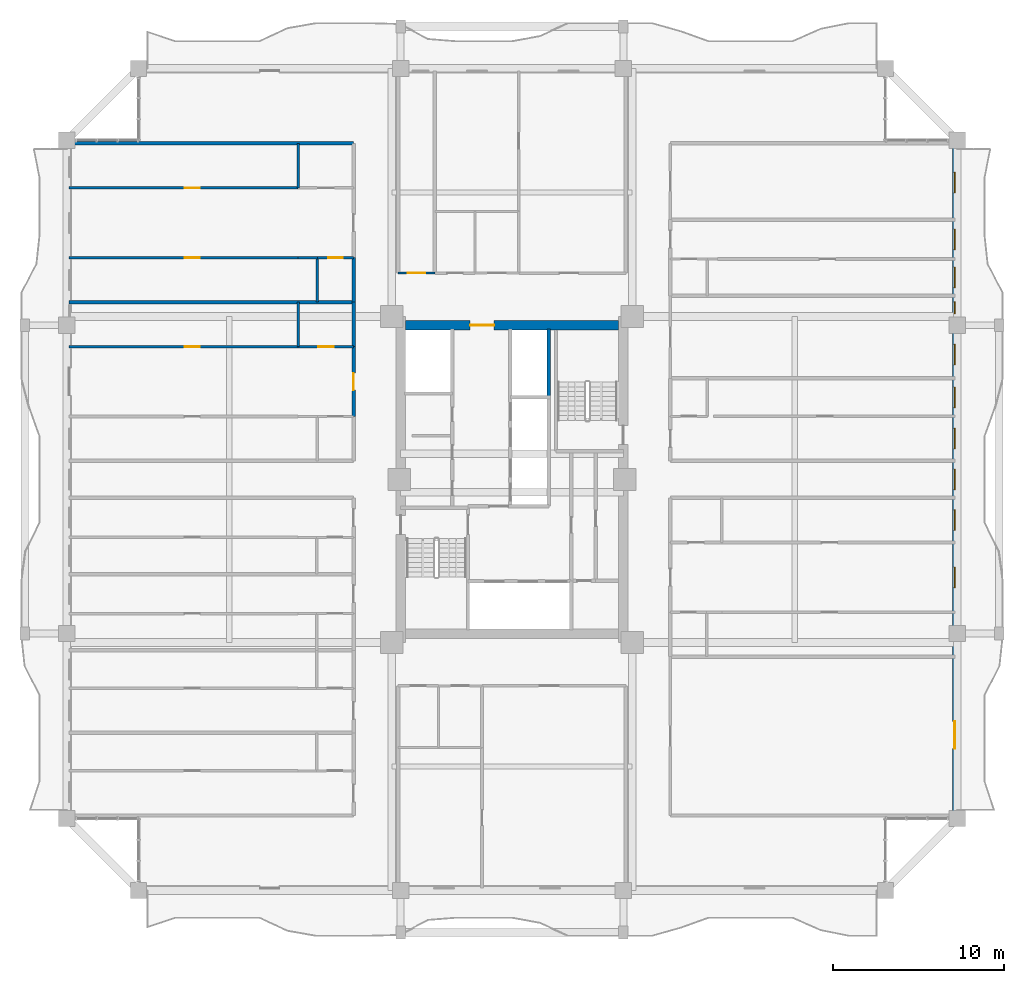
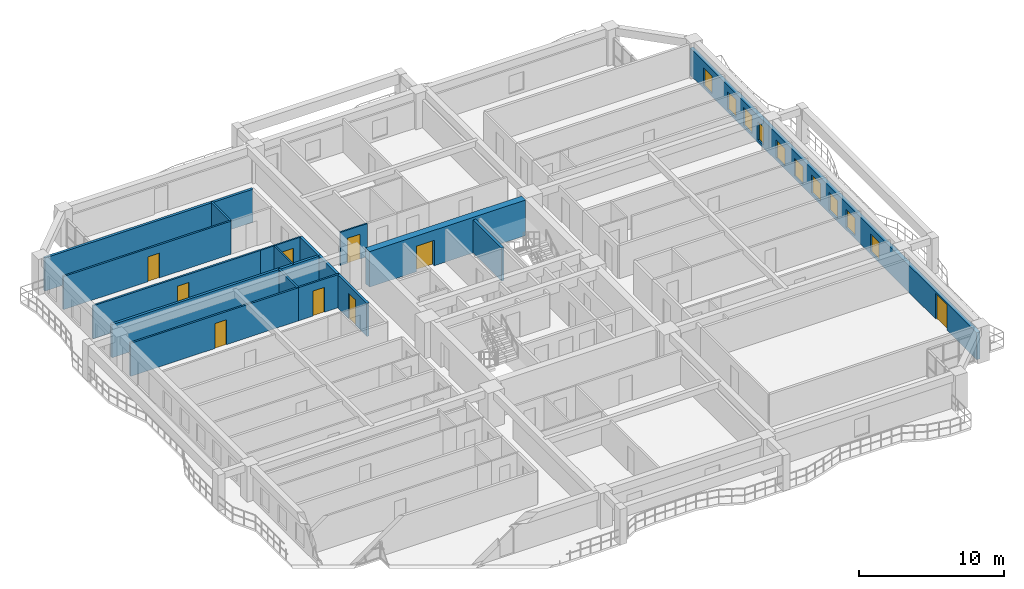
# One storey, part 17 of 24: 18 walls, 10 windows, 9 doors, 19 openings.
"""IFC4 building model written with IfcOpenShell, lengths in metres."""

from ifc_helpers import new_model, si_unit, direction, frame, frame_2d, origin, place, context, subcontext, project, spatial, rectangle, extrude, source, transform, mapped, material, layer, layer_set, type_object, element, fill, save


model = new_model("IFC4")

# Units and contexts
model_context = context("Model", 3, precision=1e-05, world=origin(), true_north=direction((0.0, 1.0)))
body_context = subcontext(model_context, "Body", "Model", "MODEL_VIEW")
ifc_project = project(units=[si_unit("LENGTHUNIT", "METRE"), si_unit("AREAUNIT", "SQUARE_METRE"), si_unit("VOLUMEUNIT", "CUBIC_METRE"), si_unit("PLANEANGLEUNIT", "RADIAN"), si_unit("MASSUNIT", "GRAM", prefix="KILO")], contexts=[model_context])

# Site, building, storey
site_placement = place(None, origin())
site = spatial("IfcSite", under=ifc_project, at=site_placement, CompositionType="ELEMENT")
building_placement = place(site_placement, origin())
building = spatial("IfcBuilding", under=site, at=building_placement, Name="Saelheon Loggia Tower", CompositionType="ELEMENT")
storey_placement = place(building_placement, frame((0.0, 0.0, 126.75)))
storey = spatial("IfcBuildingStorey", under=building, at=storey_placement, Name="L40", CompositionType="ELEMENT", Elevation=126.75)

# Wall, opening, door
ifc_material_1 = material(Name="Concrete C50/60", Category="concrete")
ifc_layer_1 = layer(ifc_material_1, 0.550048828125)
ifc_layer_set_1 = layer_set([ifc_layer_1], Name="Concrete C50/60")
wall_type_1 = type_object("IfcWallType", Name="Wall_CoreShear_550", PredefinedType="SHEAR", material=ifc_layer_set_1)
wall_1_placement = place(storey_placement, frame((31.77490234375, 36.0, 0.0), z_axis=(0.0, 0.0, 1.0), x_axis=(1.0, 0.0, 0.0)))
wall_1 = element("IfcWall", 1, at=wall_1_placement, inside=storey, type_object=wall_type_1, Name="L40 Core Shear Wall North", PredefinedType="SHEAR", context=body_context, shape_type="SweptSolid", body=[
    extrude(rectangle(XDim=12.4501953125, YDim=0.550048828125, at=frame_2d((6.22509765625, 0.0))), origin(), (0.0, 0.0, 1.0), 3.0),
])
opening_1_placement = place(wall_1_placement, frame((5.1748046875, 0.0, 0.0), z_axis=(0.0, 0.0, 1.0), x_axis=(-1.0, 0.0, 0.0)))
opening_1 = element("IfcOpeningElement", 2, at=opening_1_placement, cuts=wall_1, Name="Opening D-FD2L", PredefinedType="OPENING", context=body_context, shape_type="SweptSolid", body=[
    extrude(rectangle(XDim=1.39990234375, YDim=2.14990234375, at=frame_2d((0.699951171875, 1.074951171875))), frame((0.0, 0.287109375, 0.0), z_axis=(0.0, -1.0, 0.0), x_axis=(1.0, 0.0, 0.0)), (0.0, 0.0, 1.0), 0.573974609375),
])
ifc_material_2 = material(Name="Galvanised Steel Glazed Lobby Fire Door", Category="steel")
door_type_1 = type_object("IfcDoorType", Name="Door_Fire_FD60_1400", OperationType="NOTDEFINED", PredefinedType="DOOR", material=ifc_material_2)
shared_shape_1 = source(origin(), body_context, "Body", "SweptSolid", [
    extrude(rectangle(XDim=1.39990234375, YDim=2.14990234375, at=frame_2d((0.699951171875, 1.074951171875))), frame((0.0, 0.02490234375, 0.0), z_axis=(0.0, -1.0, 0.0), x_axis=(1.0, 0.0, 0.0)), (0.0, 0.0, 1.0), 0.050048828125),
])
door_1_placement = place(opening_1_placement, origin())
door_1 = element("IfcDoor", 3, at=door_1_placement, inside=storey, type_object=door_type_1, Name="L40 Passenger Lift Lobby Main Door", OperationType="SINGLE_SWING_RIGHT", OverallHeight=2.14990234375, OverallWidth=1.39990234375, PredefinedType="DOOR", context=body_context, shape_type="MappedRepresentation", body=[
    mapped(shared_shape_1, transform((0.0, 0.0, 0.0), scale=1.0)),
])
fill(opening_1, door_1)

# Wall, openings, windows, door
ifc_material_3 = material(Name="Architectural Precast Concrete C40/50", Category="concrete")
ifc_layer_2 = layer(ifc_material_3, 0.280029296875)
ifc_layer_set_2 = layer_set([ifc_layer_2], Name="Architectural Precast Concrete C40/50")
wall_type_2 = type_object("IfcWallType", Name="Wall_Ext_Loggia_280", PredefinedType="SOLIDWALL", material=ifc_layer_set_2)
wall_2_placement = place(storey_placement, frame((63.860107421875, 7.199951171875, 0.0), z_axis=(0.0, 0.0, 1.0), x_axis=(0.0, 1.0, 0.0)))
wall_2 = element("IfcWall", 4, at=wall_2_placement, inside=storey, type_object=wall_type_2, Name="L40 East Loggia Inner Wall", PredefinedType="SOLIDWALL", context=body_context, shape_type="SweptSolid", body=[
    extrude(rectangle(XDim=39.60009765625, YDim=0.280029296875, at=frame_2d((19.800048828125, 0.0))), origin(), (0.0, 0.0, 1.0), 2.280029296875),
])
opening_2_placement = place(wall_2_placement, frame((5.6826171875, 0.0, 0.0), z_axis=(0.0, 0.0, 1.0), x_axis=(-1.0, 0.0, 0.0)))
opening_2 = element("IfcOpeningElement", 5, at=opening_2_placement, cuts=wall_2, Name="Opening DLG-1", PredefinedType="OPENING", context=body_context, shape_type="SweptSolid", body=[
    extrude(rectangle(XDim=1.60009765625, YDim=2.14990234375, at=frame_2d((0.800048828125, 1.074951171875))), frame((0.0, 0.152099609375, 0.0), z_axis=(0.0, -1.0, 0.0), x_axis=(1.0, 0.0, 0.0)), (0.0, 0.0, 1.0), 0.303955078125),
])
opening_3_placement = place(wall_2_placement, frame((13.48291015625, 0.0, 0.25)))
opening_3 = element("IfcOpeningElement", 6, at=opening_3_placement, cuts=wall_2, Name="Opening WN-03", PredefinedType="OPENING", context=body_context, shape_type="SweptSolid", body=[
    extrude(rectangle(XDim=1.199951171875, YDim=1.5, at=frame_2d((0.60009765625, 0.75))), frame((0.0, 0.152099609375, 0.0), z_axis=(0.0, -1.0, 0.0), x_axis=(1.0, 0.0, 0.0)), (0.0, 0.0, 1.0), 0.303955078125),
])
opening_4_placement = place(wall_2_placement, frame((16.820068359375, 0.0, 0.25)))
opening_4 = element("IfcOpeningElement", 7, at=opening_4_placement, cuts=wall_2, Name="Opening WN-03", PredefinedType="OPENING", context=body_context, shape_type="SweptSolid", body=[
    extrude(rectangle(XDim=1.199951171875, YDim=1.5, at=frame_2d((0.60009765625, 0.75))), frame((0.0, 0.152099609375, 0.0), z_axis=(0.0, -1.0, 0.0), x_axis=(1.0, 0.0, 0.0)), (0.0, 0.0, 1.0), 0.303955078125),
])
opening_5_placement = place(wall_2_placement, frame((19.199951171875, 0.0, 0.25)))
opening_5 = element("IfcOpeningElement", 8, at=opening_5_placement, cuts=wall_2, Name="Opening WN-03", PredefinedType="OPENING", context=body_context, shape_type="SweptSolid", body=[
    extrude(rectangle(XDim=1.199951171875, YDim=1.5, at=frame_2d((0.60009765625, 0.75))), frame((0.0, 0.152099609375, 0.0), z_axis=(0.0, -1.0, 0.0), x_axis=(1.0, 0.0, 0.0)), (0.0, 0.0, 1.0), 0.303955078125),
])
opening_6_placement = place(wall_2_placement, frame((21.58154296875, 0.0, 0.25)))
opening_6 = element("IfcOpeningElement", 9, at=opening_6_placement, cuts=wall_2, Name="Opening WN-03", PredefinedType="OPENING", context=body_context, shape_type="SweptSolid", body=[
    extrude(rectangle(XDim=1.199951171875, YDim=1.5, at=frame_2d((0.60009765625, 0.75))), frame((0.0, 0.152099609375, 0.0), z_axis=(0.0, -1.0, 0.0), x_axis=(1.0, 0.0, 0.0)), (0.0, 0.0, 1.0), 0.303955078125),
])
opening_7_placement = place(wall_2_placement, frame((23.99169921875, 0.0, 0.25)))
opening_7 = element("IfcOpeningElement", 10, at=opening_7_placement, cuts=wall_2, Name="Opening WN-03", PredefinedType="OPENING", context=body_context, shape_type="SweptSolid", body=[
    extrude(rectangle(XDim=1.199951171875, YDim=1.5, at=frame_2d((0.60009765625, 0.75))), frame((0.0, 0.152099609375, 0.0), z_axis=(0.0, -1.0, 0.0), x_axis=(1.0, 0.0, 0.0)), (0.0, 0.0, 1.0), 0.303955078125),
])
opening_8_placement = place(wall_2_placement, frame((26.49267578125, 0.0, 0.25)))
opening_8 = element("IfcOpeningElement", 11, at=opening_8_placement, cuts=wall_2, Name="Opening WN-03", PredefinedType="OPENING", context=body_context, shape_type="SweptSolid", body=[
    extrude(rectangle(XDim=1.199951171875, YDim=1.5, at=frame_2d((0.60009765625, 0.75))), frame((0.0, 0.152099609375, 0.0), z_axis=(0.0, -1.0, 0.0), x_axis=(1.0, 0.0, 0.0)), (0.0, 0.0, 1.0), 0.303955078125),
])
opening_9_placement = place(wall_2_placement, frame((29.468017578125, 0.0, 0.25)))
opening_9 = element("IfcOpeningElement", 12, at=opening_9_placement, cuts=wall_2, Name="Opening WN-06", PredefinedType="OPENING", context=body_context, shape_type="SweptSolid", body=[
    extrude(rectangle(XDim=0.699951171875, YDim=1.5, at=frame_2d((0.35009765625, 0.75))), frame((0.0, 0.152099609375, 0.0), z_axis=(0.0, -1.0, 0.0), x_axis=(1.0, 0.0, 0.0)), (0.0, 0.0, 1.0), 0.303955078125),
])
opening_10_placement = place(wall_2_placement, frame((30.995849609375, 0.0, 0.25)))
opening_10 = element("IfcOpeningElement", 13, at=opening_10_placement, cuts=wall_2, Name="Opening WN-03", PredefinedType="OPENING", context=body_context, shape_type="SweptSolid", body=[
    extrude(rectangle(XDim=1.199951171875, YDim=1.5, at=frame_2d((0.60009765625, 0.75))), frame((0.0, 0.152099609375, 0.0), z_axis=(0.0, -1.0, 0.0), x_axis=(1.0, 0.0, 0.0)), (0.0, 0.0, 1.0), 0.303955078125),
])
opening_11_placement = place(wall_2_placement, frame((33.220703125, 0.0, 0.25)))
opening_11 = element("IfcOpeningElement", 14, at=opening_11_placement, cuts=wall_2, Name="Opening WN-03", PredefinedType="OPENING", context=body_context, shape_type="SweptSolid", body=[
    extrude(rectangle(XDim=1.199951171875, YDim=1.5, at=frame_2d((0.60009765625, 0.75))), frame((0.0, 0.152099609375, 0.0), z_axis=(0.0, -1.0, 0.0), x_axis=(1.0, 0.0, 0.0)), (0.0, 0.0, 1.0), 0.303955078125),
])
opening_12_placement = place(wall_2_placement, frame((36.527587890625, 0.0, 0.25)))
opening_12 = element("IfcOpeningElement", 15, at=opening_12_placement, cuts=wall_2, Name="Opening WN-03", PredefinedType="OPENING", context=body_context, shape_type="SweptSolid", body=[
    extrude(rectangle(XDim=1.199951171875, YDim=1.5, at=frame_2d((0.60009765625, 0.75))), frame((0.0, 0.152099609375, 0.0), z_axis=(0.0, -1.0, 0.0), x_axis=(1.0, 0.0, 0.0)), (0.0, 0.0, 1.0), 0.303955078125),
])
ifc_material_4 = material(Name="Thermal-Break Aluminium and Triple Low-E Glass", Category="aluminium")
window_type_1 = type_object("IfcWindowType", Name="Win_Slot_700x1500", PartitioningType="SINGLE_PANEL", PredefinedType="WINDOW", material=ifc_material_4)
shared_shape_2 = source(origin(), body_context, "Body", "SweptSolid", [
    extrude(rectangle(XDim=0.699951171875, YDim=1.5, at=frame_2d((0.35009765625, 0.75))), frame((0.0, 0.030029296875, 0.0), z_axis=(0.0, -1.0, 0.0), x_axis=(1.0, 0.0, 0.0)), (0.0, 0.0, 1.0), 0.06005859375),
])
window_1_placement = place(opening_9_placement, origin())
window_1 = element("IfcWindow", 16, at=window_1_placement, inside=storey, type_object=window_type_1, Name="L40 E Dwelling Window 8", OverallHeight=1.5, OverallWidth=0.699951171875, PartitioningType="SINGLE_PANEL", PredefinedType="WINDOW", context=body_context, shape_type="MappedRepresentation", body=[
    mapped(shared_shape_2, transform((0.0, 0.0, 0.0), scale=1.0)),
])
fill(opening_9, window_1)
window_type_2 = type_object("IfcWindowType", Name="Win_Bedroom_1200x1500", PartitioningType="SINGLE_PANEL", PredefinedType="WINDOW", material=ifc_material_4)
shared_shape_3 = source(origin(), body_context, "Body", "SweptSolid", [
    extrude(rectangle(XDim=1.199951171875, YDim=1.5, at=frame_2d((0.60009765625, 0.75))), frame((0.0, 0.030029296875, 0.0), z_axis=(0.0, -1.0, 0.0), x_axis=(1.0, 0.0, 0.0)), (0.0, 0.0, 1.0), 0.06005859375),
])
window_2_placement = place(opening_3_placement, origin())
window_2 = element("IfcWindow", 17, at=window_2_placement, inside=storey, type_object=window_type_2, Name="L40 E Dwelling Window 2", OverallHeight=1.5, OverallWidth=1.199951171875, PartitioningType="SINGLE_PANEL", PredefinedType="WINDOW", context=body_context, shape_type="MappedRepresentation", body=[
    mapped(shared_shape_3, transform((0.0, 0.0, 0.0), scale=1.0)),
])
fill(opening_3, window_2)
window_3_placement = place(opening_4_placement, origin())
window_3 = element("IfcWindow", 18, at=window_3_placement, inside=storey, type_object=window_type_2, Name="L40 E Dwelling Window 3", OverallHeight=1.5, OverallWidth=1.199951171875, PartitioningType="SINGLE_PANEL", PredefinedType="WINDOW", context=body_context, shape_type="MappedRepresentation", body=[
    mapped(shared_shape_3, transform((0.0, 0.0, 0.0), scale=1.0)),
])
fill(opening_4, window_3)
window_4_placement = place(opening_5_placement, origin())
window_4 = element("IfcWindow", 19, at=window_4_placement, inside=storey, type_object=window_type_2, Name="L40 E Dwelling Window 4", OverallHeight=1.5, OverallWidth=1.199951171875, PartitioningType="SINGLE_PANEL", PredefinedType="WINDOW", context=body_context, shape_type="MappedRepresentation", body=[
    mapped(shared_shape_3, transform((0.0, 0.0, 0.0), scale=1.0)),
])
fill(opening_5, window_4)
window_5_placement = place(opening_6_placement, origin())
window_5 = element("IfcWindow", 20, at=window_5_placement, inside=storey, type_object=window_type_2, Name="L40 E Dwelling Window 5", OverallHeight=1.5, OverallWidth=1.199951171875, PartitioningType="SINGLE_PANEL", PredefinedType="WINDOW", context=body_context, shape_type="MappedRepresentation", body=[
    mapped(shared_shape_3, transform((0.0, 0.0, 0.0), scale=1.0)),
])
fill(opening_6, window_5)
window_6_placement = place(opening_7_placement, origin())
window_6 = element("IfcWindow", 21, at=window_6_placement, inside=storey, type_object=window_type_2, Name="L40 E Dwelling Window 6", OverallHeight=1.5, OverallWidth=1.199951171875, PartitioningType="SINGLE_PANEL", PredefinedType="WINDOW", context=body_context, shape_type="MappedRepresentation", body=[
    mapped(shared_shape_3, transform((0.0, 0.0, 0.0), scale=1.0)),
])
fill(opening_7, window_6)
window_7_placement = place(opening_8_placement, origin())
window_7 = element("IfcWindow", 22, at=window_7_placement, inside=storey, type_object=window_type_2, Name="L40 E Dwelling Window 7", OverallHeight=1.5, OverallWidth=1.199951171875, PartitioningType="SINGLE_PANEL", PredefinedType="WINDOW", context=body_context, shape_type="MappedRepresentation", body=[
    mapped(shared_shape_3, transform((0.0, 0.0, 0.0), scale=1.0)),
])
fill(opening_8, window_7)
window_8_placement = place(opening_10_placement, origin())
window_8 = element("IfcWindow", 23, at=window_8_placement, inside=storey, type_object=window_type_2, Name="L40 E Dwelling Window 9", OverallHeight=1.5, OverallWidth=1.199951171875, PartitioningType="SINGLE_PANEL", PredefinedType="WINDOW", context=body_context, shape_type="MappedRepresentation", body=[
    mapped(shared_shape_3, transform((0.0, 0.0, 0.0), scale=1.0)),
])
fill(opening_10, window_8)
window_9_placement = place(opening_11_placement, origin())
window_9 = element("IfcWindow", 24, at=window_9_placement, inside=storey, type_object=window_type_2, Name="L40 E Dwelling Window 10", OverallHeight=1.5, OverallWidth=1.199951171875, PartitioningType="SINGLE_PANEL", PredefinedType="WINDOW", context=body_context, shape_type="MappedRepresentation", body=[
    mapped(shared_shape_3, transform((0.0, 0.0, 0.0), scale=1.0)),
])
fill(opening_11, window_9)
window_10_placement = place(opening_12_placement, origin())
window_10 = element("IfcWindow", 25, at=window_10_placement, inside=storey, type_object=window_type_2, Name="L40 E Dwelling Window 11", OverallHeight=1.5, OverallWidth=1.199951171875, PartitioningType="SINGLE_PANEL", PredefinedType="WINDOW", context=body_context, shape_type="MappedRepresentation", body=[
    mapped(shared_shape_3, transform((0.0, 0.0, 0.0), scale=1.0)),
])
fill(opening_12, window_10)
ifc_material_5 = material(Name="Thermal-Break Aluminium Sliding Glazed Door", Category="aluminium")
door_type_2 = type_object("IfcDoorType", Name="Door_LoggiaSlide_1600", OperationType="SLIDING_TO_LEFT", PredefinedType="DOOR", material=ifc_material_5)
shared_shape_4 = source(origin(), body_context, "Body", "SweptSolid", [
    extrude(rectangle(XDim=1.60009765625, YDim=2.14990234375, at=frame_2d((0.800048828125, 1.074951171875))), frame((0.0, 0.02490234375, 0.0), z_axis=(0.0, -1.0, 0.0), x_axis=(1.0, 0.0, 0.0)), (0.0, 0.0, 1.0), 0.050048828125),
])
door_2_placement = place(opening_2_placement, origin())
door_2 = element("IfcDoor", 26, at=door_2_placement, inside=storey, type_object=door_type_2, Name="L40 E Loggia Access Door", OperationType="SLIDING_TO_LEFT", OverallHeight=2.14990234375, OverallWidth=1.60009765625, PredefinedType="DOOR", context=body_context, shape_type="MappedRepresentation", body=[
    mapped(shared_shape_4, transform((0.0, 0.0, 0.0), scale=1.0)),
])
fill(opening_2, door_2)

# Wall
ifc_material_6 = material(Name="Lightweight Autoclaved Aerated Concrete Block and Acoustic Gypsum", Category="concrete")
ifc_layer_3 = layer(ifc_material_6, 0.14990234375)
ifc_layer_set_3 = layer_set([ifc_layer_3], Name="Lightweight Autoclaved Aerated Concrete Block and Acoustic Gypsum")
wall_type_3 = type_object("IfcWallType", Name="Wall_Part_150", PredefinedType="PARTITIONING", material=ifc_layer_set_3)
wall_3_placement = place(storey_placement, frame((25.510009765625, 34.75, 0.0), z_axis=(0.0, 0.0, 1.0), x_axis=(0.0, 1.0, 0.0)))
element("IfcWall", 27, at=wall_3_placement, inside=storey, type_object=wall_type_3, Name="L40 WN Partition V07", PredefinedType="PARTITIONING", context=body_context, shape_type="SweptSolid", body=[
    extrude(rectangle(XDim=2.60009765625, YDim=0.14990234375, at=frame_2d((1.300048828125, 0.0))), origin(), (0.0, 0.0, 1.0), 2.7900390625),
])

# Wall, opening, door
wall_4_placement = place(storey_placement, frame((28.75, 34.75, 0.0), z_axis=(0.0, 0.0, 1.0), x_axis=(-1.0, 0.0, 0.0)))
wall_4 = element("IfcWall", 28, at=wall_4_placement, inside=storey, type_object=wall_type_3, Name="L40 WN Partition U11", PredefinedType="PARTITIONING", context=body_context, shape_type="SweptSolid", body=[
    extrude(rectangle(XDim=3.239990234375, YDim=0.14990234375, at=frame_2d((1.6201171875, 0.0))), origin(), (0.0, 0.0, 1.0), 2.7900390625),
])
opening_13_placement = place(wall_4_placement, frame((1.169921875, 0.0, 0.0)))
opening_13 = element("IfcOpeningElement", 29, at=opening_13_placement, cuts=wall_4, Name="Opening D-IN2", PredefinedType="OPENING", context=body_context, shape_type="SweptSolid", body=[
    extrude(rectangle(XDim=0.89990234375, YDim=2.10009765625, at=frame_2d((0.449951171875, 1.050048828125))), frame((0.0, 0.0869140625, 0.0), z_axis=(0.0, -1.0, 0.0), x_axis=(1.0, 0.0, 0.0)), (0.0, 0.0, 1.0), 0.173828125),
])
ifc_material_7 = material(Name="Engineered Oak Flush Door", Category="timber")
door_type_3 = type_object("IfcDoorType", Name="Door_Int_900", OperationType="NOTDEFINED", PredefinedType="DOOR", material=ifc_material_7)
shared_shape_5 = source(origin(), body_context, "Body", "SweptSolid", [
    extrude(rectangle(XDim=0.89990234375, YDim=2.10009765625, at=frame_2d((0.449951171875, 1.050048828125))), frame((0.0, 0.02490234375, 0.0), z_axis=(0.0, -1.0, 0.0), x_axis=(1.0, 0.0, 0.0)), (0.0, 0.0, 1.0), 0.050048828125),
])
door_3_placement = place(opening_13_placement, origin())
door_3 = element("IfcDoor", 30, at=door_3_placement, inside=storey, type_object=door_type_3, Name="Unit U05 Dressing Closet Door", OperationType="SINGLE_SWING_RIGHT", OverallHeight=2.10009765625, OverallWidth=0.89990234375, PredefinedType="DOOR", context=body_context, shape_type="MappedRepresentation", body=[
    mapped(shared_shape_5, transform((0.0, 0.0, 0.0), scale=1.0)),
])
fill(opening_13, door_3)

wall_5_placement = place(storey_placement, frame((25.510009765625, 34.75, 0.0), z_axis=(0.0, 0.0, 1.0), x_axis=(-1.0, 0.0, 0.0)))
wall_5 = element("IfcWall", 31, at=wall_5_placement, inside=storey, type_object=wall_type_3, Name="L40 WN Partition U12", PredefinedType="PARTITIONING", context=body_context, shape_type="SweptSolid", body=[
    extrude(rectangle(XDim=13.360107421875, YDim=0.14990234375, at=frame_2d((6.68017578125, 0.0))), origin(), (0.0, 0.0, 1.0), 2.7900390625),
])
opening_14_placement = place(wall_5_placement, frame((5.730712890625, 0.0, 0.0)))
opening_14 = element("IfcOpeningElement", 32, at=opening_14_placement, cuts=wall_5, Name="Opening D-IN2", PredefinedType="OPENING", context=body_context, shape_type="SweptSolid", body=[
    extrude(rectangle(XDim=0.89990234375, YDim=2.10009765625, at=frame_2d((0.449951171875, 1.050048828125))), frame((0.0, 0.0869140625, 0.0), z_axis=(0.0, -1.0, 0.0), x_axis=(1.0, 0.0, 0.0)), (0.0, 0.0, 1.0), 0.173828125),
])
door_4_placement = place(opening_14_placement, origin())
door_4 = element("IfcDoor", 33, at=door_4_placement, inside=storey, type_object=door_type_3, Name="Unit U05 Bedroom 1 Door", OperationType="SINGLE_SWING_LEFT", OverallHeight=2.10009765625, OverallWidth=0.89990234375, PredefinedType="DOOR", context=body_context, shape_type="MappedRepresentation", body=[
    mapped(shared_shape_5, transform((0.0, 0.0, 0.0), scale=1.0)),
])
fill(opening_14, door_4)

# Wall
wall_6_placement = place(storey_placement, frame((25.510009765625, 44.02001953125, 0.0), z_axis=(0.0, 0.0, 1.0), x_axis=(0.0, 1.0, 0.0)))
element("IfcWall", 34, at=wall_6_placement, inside=storey, type_object=wall_type_3, Name="L40 WN Partition V18", PredefinedType="PARTITIONING", context=body_context, shape_type="SweptSolid", body=[
    extrude(rectangle(XDim=2.60009765625, YDim=0.14990234375, at=frame_2d((1.300048828125, 0.0))), origin(), (0.0, 0.0, 1.0), 2.7900390625),
])

# Wall, opening, door
wall_7_placement = place(storey_placement, frame((25.510009765625, 39.945556640625, 0.0), z_axis=(0.0, 0.0, 1.0), x_axis=(-1.0, 0.0, 0.0)))
wall_7 = element("IfcWall", 35, at=wall_7_placement, inside=storey, type_object=wall_type_3, Name="L40 WN Partition U21", PredefinedType="PARTITIONING", context=body_context, shape_type="SweptSolid", body=[
    extrude(rectangle(XDim=13.360107421875, YDim=0.14990234375, at=frame_2d((6.68017578125, 0.0))), origin(), (0.0, 0.0, 1.0), 2.7900390625),
])
opening_15_placement = place(wall_7_placement, frame((5.730712890625, 0.0, 0.0)))
opening_15 = element("IfcOpeningElement", 36, at=opening_15_placement, cuts=wall_7, Name="Opening D-IN2", PredefinedType="OPENING", context=body_context, shape_type="SweptSolid", body=[
    extrude(rectangle(XDim=0.89990234375, YDim=2.10009765625, at=frame_2d((0.449951171875, 1.050048828125))), frame((0.0, 0.0869140625, 0.0), z_axis=(0.0, -1.0, 0.0), x_axis=(1.0, 0.0, 0.0)), (0.0, 0.0, 1.0), 0.173828125),
])
door_5_placement = place(opening_15_placement, origin())
door_5 = element("IfcDoor", 37, at=door_5_placement, inside=storey, type_object=door_type_3, Name="Unit U06 Kitchen Door", OperationType="SINGLE_SWING_RIGHT", OverallHeight=2.10009765625, OverallWidth=0.89990234375, PredefinedType="DOOR", context=body_context, shape_type="MappedRepresentation", body=[
    mapped(shared_shape_5, transform((0.0, 0.0, 0.0), scale=1.0)),
])
fill(opening_15, door_5)

wall_8_placement = place(storey_placement, frame((25.510009765625, 44.02001953125, 0.0), z_axis=(0.0, 0.0, 1.0), x_axis=(-1.0, 0.0, 0.0)))
wall_8 = element("IfcWall", 38, at=wall_8_placement, inside=storey, type_object=wall_type_3, Name="L40 WN Partition U23", PredefinedType="PARTITIONING", context=body_context, shape_type="SweptSolid", body=[
    extrude(rectangle(XDim=13.360107421875, YDim=0.14990234375, at=frame_2d((6.68017578125, 0.0))), origin(), (0.0, 0.0, 1.0), 2.7900390625),
])
opening_16_placement = place(wall_8_placement, frame((5.730712890625, 0.0, 0.0)))
opening_16 = element("IfcOpeningElement", 39, at=opening_16_placement, cuts=wall_8, Name="Opening D-IN2", PredefinedType="OPENING", context=body_context, shape_type="SweptSolid", body=[
    extrude(rectangle(XDim=0.89990234375, YDim=2.10009765625, at=frame_2d((0.449951171875, 1.050048828125))), frame((0.0, 0.0869140625, 0.0), z_axis=(0.0, -1.0, 0.0), x_axis=(1.0, 0.0, 0.0)), (0.0, 0.0, 1.0), 0.173828125),
])
door_6_placement = place(opening_16_placement, origin())
door_6 = element("IfcDoor", 40, at=door_6_placement, inside=storey, type_object=door_type_3, Name="Unit U06 Bedroom 1 Door", OperationType="SINGLE_SWING_RIGHT", OverallHeight=2.10009765625, OverallWidth=0.89990234375, PredefinedType="DOOR", context=body_context, shape_type="MappedRepresentation", body=[
    mapped(shared_shape_5, transform((0.0, 0.0, 0.0), scale=1.0)),
])
fill(opening_16, door_6)

# Wall
ifc_material_8 = material(Name="Double Acoustic Stud and Fireboard Partition", Category="gypsum")
ifc_layer_4 = layer(ifc_material_8, 0.199951171875)
ifc_layer_set_4 = layer_set([ifc_layer_4], Name="Double Acoustic Stud and Fireboard Partition")
wall_type_4 = type_object("IfcWallType", Name="Wall_Party_200", PredefinedType="PARTITIONING", material=ifc_layer_set_4)
wall_9_placement = place(storey_placement, frame((28.75, 46.6201171875, 0.0), z_axis=(0.0, 0.0, 1.0), x_axis=(-1.0, 0.0, 0.0)))
element("IfcWall", 41, at=wall_9_placement, inside=storey, type_object=wall_type_4, Name="L40 WN Partition U02", PredefinedType="PARTITIONING", context=body_context, shape_type="SweptSolid", body=[
    extrude(rectangle(XDim=16.60009765625, YDim=0.199951171875, at=frame_2d((8.300048828125, 0.0))), origin(), (0.0, 0.0, 1.0), 2.7900390625),
])

# Wall, opening, door
wall_10_placement = place(storey_placement, frame((28.75, 30.675537109375, 0.0), z_axis=(0.0, 0.0, 1.0), x_axis=(0.0, 1.0, 0.0)))
wall_10 = element("IfcWall", 42, at=wall_10_placement, inside=storey, type_object=wall_type_4, Name="L40 WN Partition V04", PredefinedType="PARTITIONING", context=body_context, shape_type="SweptSolid", body=[
    extrude(rectangle(XDim=4.074462890625, YDim=0.199951171875, at=frame_2d((2.037109375, 0.0))), origin(), (0.0, 0.0, 1.0), 2.7900390625),
])
opening_17_placement = place(wall_10_placement, frame((1.537109375, 0.0, 0.0)))
opening_17 = element("IfcOpeningElement", 43, at=opening_17_placement, cuts=wall_10, Name="Opening D-FD1", PredefinedType="OPENING", context=body_context, shape_type="SweptSolid", body=[
    extrude(rectangle(XDim=1.0, YDim=2.14990234375, at=frame_2d((0.5, 1.074951171875))), frame((0.0, 0.112060546875, 0.0), z_axis=(0.0, -1.0, 0.0), x_axis=(1.0, 0.0, 0.0)), (0.0, 0.0, 1.0), 0.223876953125),
])
ifc_material_9 = material(Name="Fire-Rated Engineered Timber Entrance Door", Category="wood")
door_type_4 = type_object("IfcDoorType", Name="Door_Flat_FD30S", OperationType="NOTDEFINED", PredefinedType="DOOR", material=ifc_material_9)
shared_shape_6 = source(origin(), body_context, "Body", "SweptSolid", [
    extrude(rectangle(XDim=1.0, YDim=2.14990234375, at=frame_2d((0.5, 1.074951171875))), frame((0.0, 0.02490234375, 0.0), z_axis=(0.0, -1.0, 0.0), x_axis=(1.0, 0.0, 0.0)), (0.0, 0.0, 1.0), 0.050048828125),
])
door_7_placement = place(opening_17_placement, origin())
door_7 = element("IfcDoor", 44, at=door_7_placement, inside=storey, type_object=door_type_4, Name="Unit U05 Entrance Door", OperationType="SINGLE_SWING_LEFT", OverallHeight=2.14990234375, OverallWidth=1.0, PredefinedType="DOOR", context=body_context, shape_type="MappedRepresentation", body=[
    mapped(shared_shape_6, transform((0.0, 0.0, 0.0), scale=1.0)),
])
fill(opening_17, door_7)

# Walls
wall_11_placement = place(storey_placement, frame((28.75, 34.75, 0.0), z_axis=(0.0, 0.0, 1.0), x_axis=(0.0, 1.0, 0.0)))
element("IfcWall", 45, at=wall_11_placement, inside=storey, type_object=wall_type_4, Name="L40 WN Partition V05", PredefinedType="PARTITIONING", context=body_context, shape_type="SweptSolid", body=[
    extrude(rectangle(XDim=2.60009765625, YDim=0.199951171875, at=frame_2d((1.300048828125, 0.0))), origin(), (0.0, 0.0, 1.0), 2.7900390625),
])
wall_12_placement = place(storey_placement, frame((28.75, 37.35009765625, 0.0), z_axis=(0.0, 0.0, 1.0), x_axis=(-1.0, 0.0, 0.0)))
element("IfcWall", 46, at=wall_12_placement, inside=storey, type_object=wall_type_4, Name="L40 WN Partition U13", PredefinedType="PARTITIONING", context=body_context, shape_type="SweptSolid", body=[
    extrude(rectangle(XDim=16.60009765625, YDim=0.199951171875, at=frame_2d((8.300048828125, 0.0))), origin(), (0.0, 0.0, 1.0), 2.7900390625),
])
wall_13_placement = place(storey_placement, frame((28.75, 37.35009765625, 0.0), z_axis=(0.0, 0.0, 1.0), x_axis=(0.0, 1.0, 0.0)))
element("IfcWall", 47, at=wall_13_placement, inside=storey, type_object=wall_type_4, Name="L40 WN Partition V14", PredefinedType="PARTITIONING", context=body_context, shape_type="SweptSolid", body=[
    extrude(rectangle(XDim=2.595458984375, YDim=0.199951171875, at=frame_2d((1.2978515625, 0.0))), origin(), (0.0, 0.0, 1.0), 2.7900390625),
])
ifc_material_10 = material(Name="Concrete C40/50", Category="concrete")
ifc_layer_5 = layer(ifc_material_10, 0.199951171875)
ifc_layer_set_5 = layer_set([ifc_layer_5], Name="Concrete C40/50")
wall_type_5 = type_object("IfcWallType", Name="Wall_Shaft_200", PredefinedType="PARTITIONING", material=ifc_layer_set_5)
wall_14_placement = place(storey_placement, frame((40.14990234375, 31.800048828125, 0.0), z_axis=(0.0, 0.0, 1.0), x_axis=(0.0, 1.0, 0.0)))
element("IfcWall", 48, at=wall_14_placement, inside=storey, type_object=wall_type_5, Name="L40 East High-Rise Hoistway East Wall", PredefinedType="PARTITIONING", context=body_context, shape_type="SweptSolid", body=[
    extrude(rectangle(XDim=3.97998046875, YDim=0.199951171875, at=frame_2d((1.989990234375, 0.0))), origin(), (0.0, 0.0, 1.0), 2.7900390625),
])

# Wall, opening, door
ifc_material_11 = material(Name="Moisture-Resistant Cement Board Partition", Category="gypsum")
ifc_layer_6 = layer(ifc_material_11, 0.1201171875)
ifc_layer_set_6 = layer_set([ifc_layer_6], Name="Moisture-Resistant Cement Board Partition")
wall_type_6 = type_object("IfcWallType", Name="Wall_WetPart_120", PredefinedType="PARTITIONING", material=ifc_layer_set_6)
wall_15_placement = place(storey_placement, frame((31.35009765625, 39.050048828125, 0.0), z_axis=(0.0, 0.0, 1.0), x_axis=(1.0, 0.0, 0.0)))
wall_15 = element("IfcWall", 49, at=wall_15_placement, inside=storey, type_object=wall_type_6, Name="L40 N Partition V04", PredefinedType="PARTITIONING", context=body_context, shape_type="SweptSolid", body=[
    extrude(rectangle(XDim=2.14990234375, YDim=0.1201171875, at=frame_2d((1.074951171875, 0.0))), origin(), (0.0, 0.0, 1.0), 2.7900390625),
])
opening_18_placement = place(wall_15_placement, frame((0.574951171875, 0.0, 0.0)))
opening_18 = element("IfcOpeningElement", 50, at=opening_18_placement, cuts=wall_15, Name="Opening D-AC1", PredefinedType="OPENING", context=body_context, shape_type="SweptSolid", body=[
    extrude(rectangle(XDim=1.0, YDim=2.10009765625, at=frame_2d((0.5, 1.050048828125))), frame((0.0, 0.072021484375, 0.0), z_axis=(0.0, -1.0, 0.0), x_axis=(1.0, 0.0, 0.0)), (0.0, 0.0, 1.0), 0.14404296875),
])
ifc_material_12 = material(Name="Accessible Laminate Flush Door", Category="timber")
door_type_5 = type_object("IfcDoorType", Name="Door_Acc_1000", OperationType="NOTDEFINED", PredefinedType="DOOR", material=ifc_material_12)
shared_shape_7 = source(origin(), body_context, "Body", "SweptSolid", [
    extrude(rectangle(XDim=1.0, YDim=2.10009765625, at=frame_2d((0.5, 1.050048828125))), frame((0.0, 0.02490234375, 0.0), z_axis=(0.0, -1.0, 0.0), x_axis=(1.0, 0.0, 0.0)), (0.0, 0.0, 1.0), 0.050048828125),
])
door_8_placement = place(opening_18_placement, origin())
door_8 = element("IfcDoor", 51, at=door_8_placement, inside=storey, type_object=door_type_5, Name="L40 Floor Accessible WC Door", OperationType="SINGLE_SWING_RIGHT", OverallHeight=2.10009765625, OverallWidth=1.0, PredefinedType="DOOR", context=body_context, shape_type="MappedRepresentation", body=[
    mapped(shared_shape_7, transform((0.0, 0.0, 0.0), scale=1.0)),
])
fill(opening_18, door_8)

# Wall
wall_16_placement = place(storey_placement, frame((26.6298828125, 37.35009765625, 0.0), z_axis=(0.0, 0.0, 1.0), x_axis=(0.0, 1.0, 0.0)))
element("IfcWall", 52, at=wall_16_placement, inside=storey, type_object=wall_type_6, Name="L40 WN Partition V17", PredefinedType="PARTITIONING", context=body_context, shape_type="SweptSolid", body=[
    extrude(rectangle(XDim=2.595458984375, YDim=0.1201171875, at=frame_2d((1.2978515625, 0.0))), origin(), (0.0, 0.0, 1.0), 2.7900390625),
])

# Wall, opening, door
wall_17_placement = place(storey_placement, frame((28.75, 39.945556640625, 0.0), z_axis=(0.0, 0.0, 1.0), x_axis=(-1.0, 0.0, 0.0)))
wall_17 = element("IfcWall", 53, at=wall_17_placement, inside=storey, type_object=wall_type_6, Name="L40 WN Partition U19", PredefinedType="PARTITIONING", context=body_context, shape_type="SweptSolid", body=[
    extrude(rectangle(XDim=2.1201171875, YDim=0.1201171875, at=frame_2d((1.06005859375, 0.0))), origin(), (0.0, 0.0, 1.0), 2.7900390625),
])
opening_19_placement = place(wall_17_placement, frame((0.635009765625, 0.0, 0.0)))
opening_19 = element("IfcOpeningElement", 54, at=opening_19_placement, cuts=wall_17, Name="Opening D-BT1", PredefinedType="OPENING", context=body_context, shape_type="SweptSolid", body=[
    extrude(rectangle(XDim=0.85009765625, YDim=2.050048828125, at=frame_2d((0.425048828125, 1.02490234375))), frame((0.0, 0.072021484375, 0.0), z_axis=(0.0, -1.0, 0.0), x_axis=(1.0, 0.0, 0.0)), (0.0, 0.0, 1.0), 0.14404296875),
])
ifc_material_13 = material(Name="Moisture-Resistant Laminate Timber Door", Category="wood")
door_type_6 = type_object("IfcDoorType", Name="Door_Bath_850", OperationType="NOTDEFINED", PredefinedType="DOOR", material=ifc_material_13)
shared_shape_8 = source(origin(), body_context, "Body", "SweptSolid", [
    extrude(rectangle(XDim=0.85009765625, YDim=2.050048828125, at=frame_2d((0.425048828125, 1.02490234375))), frame((0.0, 0.02490234375, 0.0), z_axis=(0.0, -1.0, 0.0), x_axis=(1.0, 0.0, 0.0)), (0.0, 0.0, 1.0), 0.050048828125),
])
door_9_placement = place(opening_19_placement, origin())
door_9 = element("IfcDoor", 55, at=door_9_placement, inside=storey, type_object=door_type_6, Name="Unit U06 Bathroom Door", OperationType="SINGLE_SWING_LEFT", OverallHeight=2.050048828125, OverallWidth=0.85009765625, PredefinedType="DOOR", context=body_context, shape_type="MappedRepresentation", body=[
    mapped(shared_shape_8, transform((0.0, 0.0, 0.0), scale=1.0)),
])
fill(opening_19, door_9)

# Wall
wall_18_placement = place(storey_placement, frame((26.6298828125, 39.945556640625, 0.0), z_axis=(0.0, 0.0, 1.0), x_axis=(-1.0, 0.0, 0.0)))
element("IfcWall", 56, at=wall_18_placement, inside=storey, type_object=wall_type_6, Name="L40 WN Partition U20", PredefinedType="PARTITIONING", context=body_context, shape_type="SweptSolid", body=[
    extrude(rectangle(XDim=1.119873046875, YDim=0.1201171875, at=frame_2d((0.56005859375, 0.0))), origin(), (0.0, 0.0, 1.0), 2.7900390625),
])

save(model, "model.ifc")
